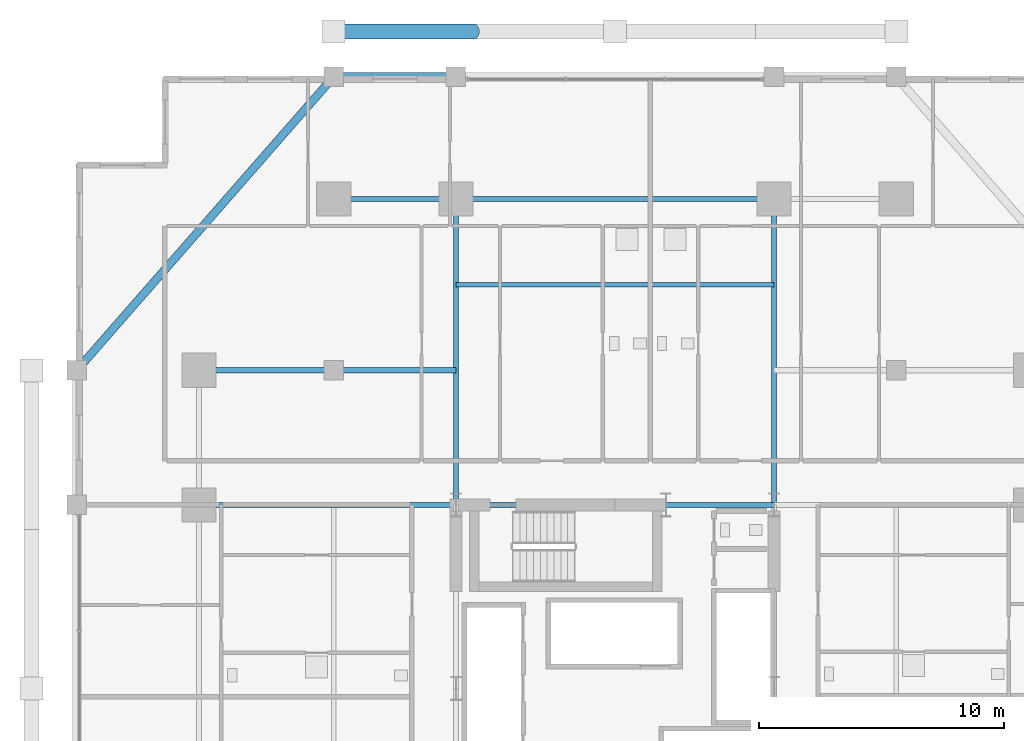
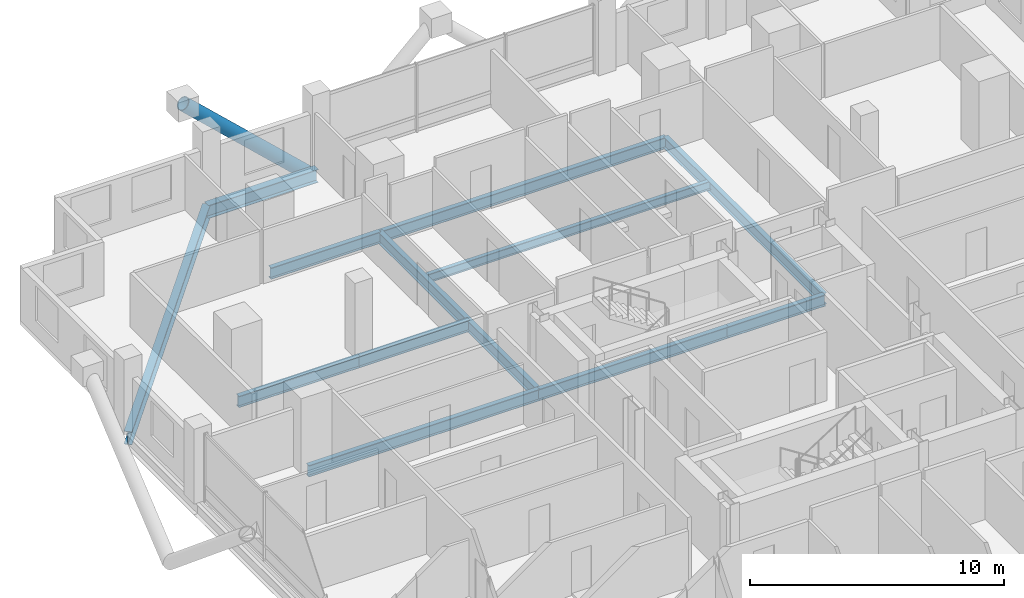
# One storey, part 12 of 24: 12 beams, 1 member.
"""IFC4 building model written with IfcOpenShell, lengths in metres."""

from ifc_helpers import new_model, si_unit, direction, frame, origin, origin_2d, place, context, subcontext, project, spatial, hollow_circle, i_section, extrude, material, material_profile, profile_set, type_object, element, save


model = new_model("IFC4")

# Units and contexts
model_context = context("Model", 3, precision=1e-05, world=origin(), true_north=direction((0.0, 1.0)))
body_context = subcontext(model_context, "Body", "Model", "MODEL_VIEW")
ifc_project = project(units=[si_unit("LENGTHUNIT", "METRE"), si_unit("AREAUNIT", "SQUARE_METRE"), si_unit("VOLUMEUNIT", "CUBIC_METRE"), si_unit("PLANEANGLEUNIT", "RADIAN"), si_unit("MASSUNIT", "GRAM", prefix="KILO")], contexts=[model_context])

# Site, building, storey
site_placement = place(None, origin())
site = spatial("IfcSite", under=ifc_project, at=site_placement, CompositionType="ELEMENT")
building_placement = place(site_placement, origin())
building = spatial("IfcBuilding", under=site, at=building_placement, Name="Barlavira Tower and Art Museum", CompositionType="ELEMENT")
storey_placement = place(building_placement, frame((0.0, 0.0, 90.0)))
storey = spatial("IfcBuildingStorey", under=building, at=storey_placement, Name="L22", CompositionType="ELEMENT", Elevation=90.0)

# Member
ifc_material = material(Name="Steel S355", Category="steel")
ifc_material_profile_1 = material_profile(ifc_material, hollow_circle(Radius=0.304931640625, WallThickness=0.028076171875, at=origin_2d()), Name="CHS 610.0x28.0")
ifc_profile_set_1 = profile_set([ifc_material_profile_1], Name="Steel S355")
member_type = type_object("IfcMemberType", Name="Pale-Metal Exoskeleton Diagrid Tube CHS 610x28 Steel S355", PredefinedType="BRACE", material=ifc_profile_set_1)
member_placement = place(storey_placement, frame((-5.75, 26.85009765625, -1.919921875), z_axis=(-0.728950095515, 0.0, 0.684566839869), x_axis=(0.0, -1.0, 0.0)))
element("IfcMember", 1, at=member_placement, inside=storey, type_object=member_type, Name="L22 Exoskeleton Diagrid Tube N", PredefinedType="BRACE", context=body_context, shape_type="SweptSolid", body=[
    extrude(hollow_circle(Radius=0.304931640625, WallThickness=0.028076171875, at=origin_2d()), origin(), (0.0, 0.0, 1.0), 7.887939453125),
])

# Beams
ifc_material_profile_2 = material_profile(ifc_material, i_section(OverallWidth=0.327880859375, OverallDepth=0.62890625, WebThickness=0.013916015625, FlangeThickness=0.021484375, at=origin_2d()), Name="W610x174.0")
ifc_profile_set_2 = profile_set([ifc_material_profile_2], Name="Steel S355")
beam_type_1 = type_object("IfcBeamType", Name="Perimeter Spandrel Edge Beam W610x174 Steel S355", PredefinedType="SPANDREL", material=ifc_profile_set_2)
beam_1_placement = place(storey_placement, frame((-11.5, 25.0, -0.534423828125), z_axis=(1.0, 0.0, 0.0), x_axis=(0.0, 1.0, 0.0)))
element("IfcBeam", 2, at=beam_1_placement, inside=storey, type_object=beam_type_1, Name="L22 Spandrel 11", PredefinedType="SPANDREL", context=body_context, shape_type="SweptSolid", body=[
    extrude(i_section(OverallWidth=0.327880859375, OverallDepth=0.62890625, WebThickness=0.013916015625, FlangeThickness=0.021484375, at=origin_2d()), origin(), (0.0, 0.0, 1.0), 5.0),
])
beam_2_placement = place(storey_placement, frame((-11.5, 25.0, -0.534423828125), z_axis=(-0.658504607869, -0.752576694707, 0.0), x_axis=(0.752576694707, -0.658504607869, 0.0)))
element("IfcBeam", 3, at=beam_2_placement, inside=storey, type_object=beam_type_1, Name="L22 Spandrel 12", PredefinedType="SPANDREL", context=body_context, shape_type="SweptSolid", body=[
    extrude(i_section(OverallWidth=0.327880859375, OverallDepth=0.62890625, WebThickness=0.013916015625, FlangeThickness=0.021484375, at=origin_2d()), origin(), (0.0, 0.0, 1.0), 15.9453125),
])
ifc_material_profile_3 = material_profile(ifc_material, i_section(OverallWidth=0.180908203125, OverallDepth=0.4169921875, WebThickness=0.010986328125, FlangeThickness=0.018310546875, at=origin_2d()), Name="W410x85.0")
ifc_profile_set_3 = profile_set([ifc_material_profile_3], Name="Steel S355")
beam_type_2 = type_object("IfcBeamType", Name="Zone 1 Composite Floor Joist W410x85 Steel S355", PredefinedType="JOIST", material=ifc_profile_set_3)
beam_3_placement = place(storey_placement, frame((-6.5, 16.5, -0.428466796875), z_axis=(1.0, 0.0, 0.0), x_axis=(0.0, 1.0, 0.0)))
element("IfcBeam", 4, at=beam_3_placement, inside=storey, type_object=beam_type_2, Name="L22 Joist C2", PredefinedType="JOIST", context=body_context, shape_type="SweptSolid", body=[
    extrude(i_section(OverallWidth=0.180908203125, OverallDepth=0.4169921875, WebThickness=0.010986328125, FlangeThickness=0.018310546875, at=origin_2d()), origin(), (0.0, 0.0, 1.0), 13.0),
])
ifc_material_profile_4 = material_profile(ifc_material, i_section(OverallWidth=0.214111328125, OverallDepth=0.549072265625, WebThickness=0.0146484375, FlangeThickness=0.023681640625, at=origin_2d()), Name="W530x138.0")
ifc_profile_set_4 = profile_set([ifc_material_profile_4], Name="Steel S355")
beam_type_3 = type_object("IfcBeamType", Name="Zone 1 Primary Floor Girder W530x138 Steel S355", PredefinedType="BEAM", material=ifc_profile_set_4)
beam_4_placement = place(storey_placement, frame((-6.5, 7.5, -0.494384765625), z_axis=(1.0, 0.0, 0.0), x_axis=(0.0, 1.0, 0.0)))
element("IfcBeam", 5, at=beam_4_placement, inside=storey, type_object=beam_type_3, Name="L22 Girder C-N1", PredefinedType="BEAM", context=body_context, shape_type="SweptSolid", body=[
    extrude(i_section(OverallWidth=0.214111328125, OverallDepth=0.549072265625, WebThickness=0.0146484375, FlangeThickness=0.023681640625, at=origin_2d()), origin(), (0.0, 0.0, 1.0), 8.580078125),
])
beam_5_placement = place(storey_placement, frame((2.080078125, 7.5, -0.494384765625), z_axis=(1.0, 0.0, 0.0), x_axis=(0.0, 1.0, 0.0)))
element("IfcBeam", 6, at=beam_5_placement, inside=storey, type_object=beam_type_3, Name="L22 Girder C-N2", PredefinedType="BEAM", context=body_context, shape_type="SweptSolid", body=[
    extrude(i_section(OverallWidth=0.214111328125, OverallDepth=0.549072265625, WebThickness=0.0146484375, FlangeThickness=0.023681640625, at=origin_2d()), origin(), (0.0, 0.0, 1.0), 4.419921875),
])
beam_6_placement = place(storey_placement, frame((-11.5, 20.0, -0.494384765625), z_axis=(1.0, 0.0, 0.0), x_axis=(0.0, 1.0, 0.0)))
element("IfcBeam", 7, at=beam_6_placement, inside=storey, type_object=beam_type_3, Name="L22 Girder M-N1", PredefinedType="BEAM", context=body_context, shape_type="SweptSolid", body=[
    extrude(i_section(OverallWidth=0.214111328125, OverallDepth=0.549072265625, WebThickness=0.0146484375, FlangeThickness=0.023681640625, at=origin_2d()), origin(), (0.0, 0.0, 1.0), 5.0),
])
beam_7_placement = place(storey_placement, frame((-6.5, 20.0, -0.494384765625), z_axis=(1.0, 0.0, 0.0), x_axis=(0.0, 1.0, 0.0)))
element("IfcBeam", 8, at=beam_7_placement, inside=storey, type_object=beam_type_3, Name="L22 Girder M-N2", PredefinedType="BEAM", context=body_context, shape_type="SweptSolid", body=[
    extrude(i_section(OverallWidth=0.214111328125, OverallDepth=0.549072265625, WebThickness=0.0146484375, FlangeThickness=0.023681640625, at=origin_2d()), origin(), (0.0, 0.0, 1.0), 13.0),
])
for number, where, z_axis, x_axis, name in (
    (9, (-6.5, 7.5, -0.494384765625), (0.0, 1.0, 0.0), (-1.0, 0.0, 0.0), "L22 Girder R-N1"),
    (10, (6.5, 7.5, -0.494384765625), (0.0, 1.0, 0.0), (-1.0, 0.0, 0.0), "L22 Girder R-N2"),
):
    element("IfcBeam", number, at=place(storey_placement, frame(where, z_axis=z_axis, x_axis=x_axis)), inside=storey, type_object=beam_type_3, Name=name, PredefinedType="BEAM", context=body_context, shape_type="SweptSolid", body=[
        extrude(i_section(OverallWidth=0.214111328125, OverallDepth=0.549072265625, WebThickness=0.0146484375, FlangeThickness=0.023681640625, at=origin_2d()), origin(), (0.0, 0.0, 1.0), 12.5),
    ])
beam_8_placement = place(storey_placement, frame((-17.0, 7.5, -0.494384765625), z_axis=(1.0, 0.0, 0.0), x_axis=(0.0, 1.0, 0.0)))
element("IfcBeam", 11, at=beam_8_placement, inside=storey, type_object=beam_type_3, Name="L22 Girder R-W2", PredefinedType="BEAM", context=body_context, shape_type="SweptSolid", body=[
    extrude(i_section(OverallWidth=0.214111328125, OverallDepth=0.549072265625, WebThickness=0.0146484375, FlangeThickness=0.023681640625, at=origin_2d()), origin(), (0.0, 0.0, 1.0), 10.5),
])
beam_9_placement = place(storey_placement, frame((-17.0, 13.0, -0.494384765625), z_axis=(1.0, 0.0, 0.0), x_axis=(0.0, 1.0, 0.0)))
element("IfcBeam", 12, at=beam_9_placement, inside=storey, type_object=beam_type_3, Name="L22 Girder I-N1", PredefinedType="BEAM", context=body_context, shape_type="SweptSolid", body=[
    extrude(i_section(OverallWidth=0.214111328125, OverallDepth=0.549072265625, WebThickness=0.0146484375, FlangeThickness=0.023681640625, at=origin_2d()), origin(), (0.0, 0.0, 1.0), 5.5),
])
beam_10_placement = place(storey_placement, frame((-11.5, 13.0, -0.494384765625), z_axis=(1.0, 0.0, 0.0), x_axis=(0.0, 1.0, 0.0)))
element("IfcBeam", 13, at=beam_10_placement, inside=storey, type_object=beam_type_3, Name="L22 Girder I-N2", PredefinedType="BEAM", context=body_context, shape_type="SweptSolid", body=[
    extrude(i_section(OverallWidth=0.214111328125, OverallDepth=0.549072265625, WebThickness=0.0146484375, FlangeThickness=0.023681640625, at=origin_2d()), origin(), (0.0, 0.0, 1.0), 5.0),
])

save(model, "model.ifc")
